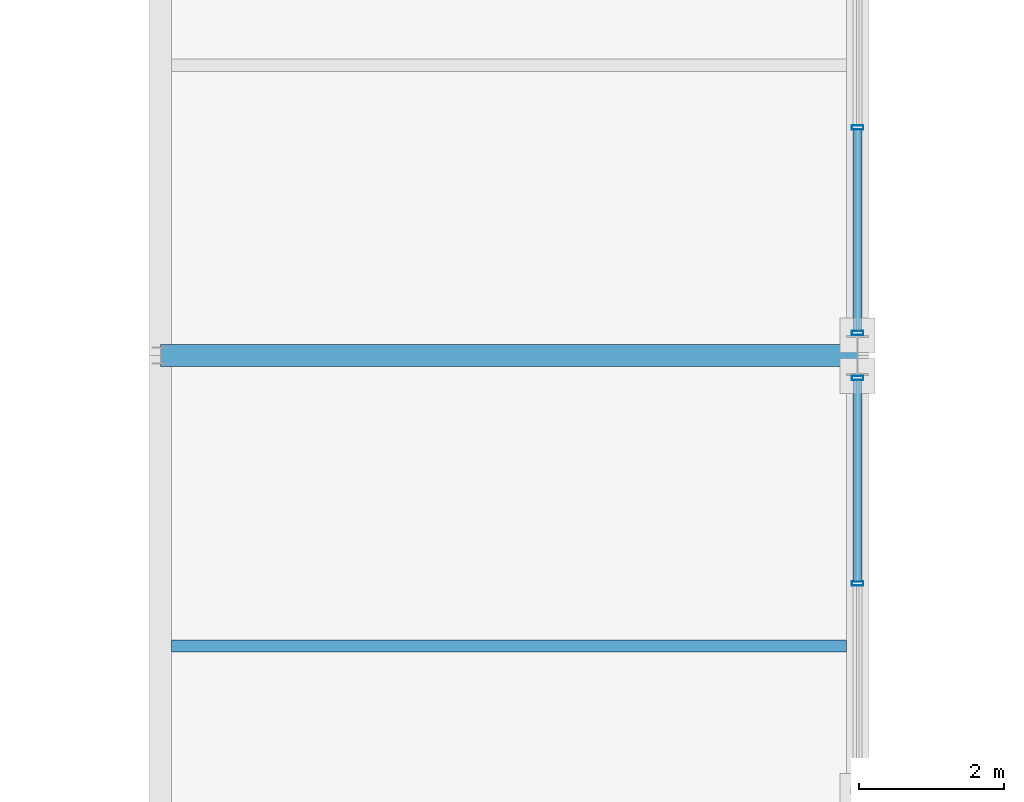
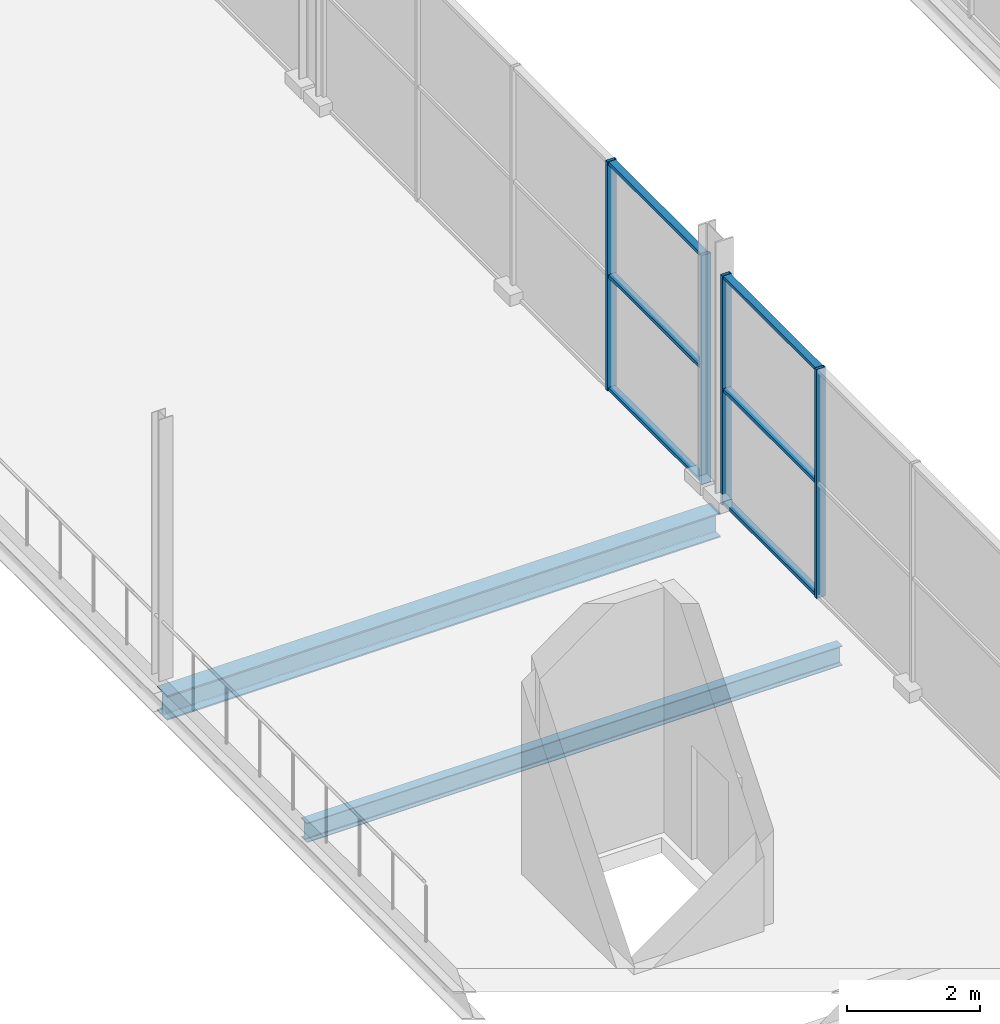
# One storey, part 71 of 159: 10 members, 2 beams, 2 elements without a shape of their own.
"""IFC4 building model written with IfcOpenShell, lengths in metres."""

from ifc_helpers import new_model, si_unit, direction, frame, origin, origin_2d, place, context, subcontext, project, spatial, hollow_rectangle, i_section, extrude, material, material_profile, profile_set, type_object, element, aggregate, save


model = new_model("IFC4")

# Units and contexts
model_context = context("Model", 3, precision=1e-05, world=origin(), true_north=direction((0.0, 1.0)))
body_context = subcontext(model_context, "Body", "Model", "MODEL_VIEW")
ifc_project = project(units=[si_unit("LENGTHUNIT", "METRE"), si_unit("AREAUNIT", "SQUARE_METRE"), si_unit("VOLUMEUNIT", "CUBIC_METRE"), si_unit("PLANEANGLEUNIT", "RADIAN"), si_unit("MASSUNIT", "GRAM", prefix="KILO")], contexts=[model_context])

# Site, building, storey
site_placement = place(None, origin())
site = spatial("IfcSite", under=ifc_project, at=site_placement, CompositionType="ELEMENT")
building_placement = place(site_placement, origin())
building = spatial("IfcBuilding", under=site, at=building_placement, Name="Merenkruunu Market Hall", CompositionType="ELEMENT")
storey_placement = place(building_placement, frame((0.0, 0.0, 5.39990234375)))
storey = spatial("IfcBuildingStorey", under=building, at=storey_placement, Name="L01", CompositionType="ELEMENT", Elevation=5.39990234375)

# Curtain wall, members
ifc_material_1 = material(Name="Powder-coated aluminium", Category="aluminium")
curtain_wall_type = type_object("IfcCurtainWallType", Name="Glazed Curtain Wall CW15", PredefinedType="USERDEFINED", material=ifc_material_1)
curtain_wall_1_placement = place(storey_placement, origin())
curtain_wall_1 = element("IfcCurtainWall", 1, at=curtain_wall_1_placement, inside=storey, type_object=curtain_wall_type, Name="CW-L01-CWM01-131", ObjectType="GLAZED_FACADE", PredefinedType="USERDEFINED")
ifc_material_profile_1 = material_profile(ifc_material_1, hollow_rectangle(XDim=0.06005859375, YDim=0.159912109375, WallThickness=0.00390625, at=origin_2d()), Name="ALU 60x160x4")
ifc_profile_set_1 = profile_set([ifc_material_profile_1], Name="Powder-coated aluminium")
member_type_1 = type_object("IfcMemberType", Name="Curtain Wall Mullion CWM01", PredefinedType="MULLION", material=ifc_profile_set_1)
member_1_placement = place(storey_placement, frame((57.60009765625, 72.4599609375, 0.0), z_axis=(0.0, 0.0, 1.0), x_axis=(0.0, 1.0, 0.0)))
member_1 = element("IfcMember", 2, at=member_1_placement, type_object=member_type_1, Name="CW15 mullion 4", PredefinedType="MULLION", context=body_context, shape_type="SweptSolid", body=[
    extrude(hollow_rectangle(XDim=0.06005859375, YDim=0.159912109375, WallThickness=0.00390625, at=origin_2d()), origin(), (0.0, 0.0, 1.0), 4.2001953125),
])
member_2_placement = place(storey_placement, frame((57.60009765625, 75.2900390625, 0.0), z_axis=(0.0, 0.0, 1.0), x_axis=(0.0, 1.0, 0.0)))
member_2 = element("IfcMember", 3, at=member_2_placement, type_object=member_type_1, Name="CW15 mullion 5", PredefinedType="MULLION", context=body_context, shape_type="SweptSolid", body=[
    extrude(hollow_rectangle(XDim=0.06005859375, YDim=0.159912109375, WallThickness=0.00390625, at=origin_2d()), origin(), (0.0, 0.0, 1.0), 4.2001953125),
])

curtain_wall_2_placement = place(storey_placement, origin())
curtain_wall_2 = element("IfcCurtainWall", 4, at=curtain_wall_2_placement, inside=storey, type_object=curtain_wall_type, Name="CW-L01-CWM01-134", ObjectType="GLAZED_FACADE", PredefinedType="USERDEFINED")
member_3_placement = place(storey_placement, frame((57.60009765625, 75.909912109375, 0.0), z_axis=(0.0, 0.0, 1.0), x_axis=(0.0, 1.0, 0.0)))
member_3 = element("IfcMember", 5, at=member_3_placement, type_object=member_type_1, Name="CW15 mullion 1", PredefinedType="MULLION", context=body_context, shape_type="SweptSolid", body=[
    extrude(hollow_rectangle(XDim=0.06005859375, YDim=0.159912109375, WallThickness=0.00390625, at=origin_2d()), origin(), (0.0, 0.0, 1.0), 4.2001953125),
])
member_4_placement = place(storey_placement, frame((57.60009765625, 78.739990234375, 0.0), z_axis=(0.0, 0.0, 1.0), x_axis=(0.0, 1.0, 0.0)))
member_4 = element("IfcMember", 6, at=member_4_placement, type_object=member_type_1, Name="CW15 mullion 2", PredefinedType="MULLION", context=body_context, shape_type="SweptSolid", body=[
    extrude(hollow_rectangle(XDim=0.06005859375, YDim=0.159912109375, WallThickness=0.00390625, at=origin_2d()), origin(), (0.0, 0.0, 1.0), 4.2001953125),
])

# Member
ifc_material_profile_2 = material_profile(ifc_material_1, hollow_rectangle(XDim=0.06005859375, YDim=0.125, WallThickness=0.00390625, at=origin_2d()), Name="ALU 60x125x4")
ifc_profile_set_2 = profile_set([ifc_material_profile_2], Name="Powder-coated aluminium")
member_type_2 = type_object("IfcMemberType", Name="Curtain Wall Transom CWT01", PredefinedType="USERDEFINED", material=ifc_profile_set_2)
member_5_placement = place(storey_placement, frame((57.60009765625, 72.489990234375, 0.030029296875), z_axis=(0.0, 1.0, 0.0), x_axis=(0.0, 0.0, 1.0)))
member_5 = element("IfcMember", 7, at=member_5_placement, type_object=member_type_2, Name="CW15 transom 4.1", ObjectType="TRANSOM", PredefinedType="USERDEFINED", context=body_context, shape_type="SweptSolid", body=[
    extrude(hollow_rectangle(XDim=0.06005859375, YDim=0.125, WallThickness=0.00390625, at=origin_2d()), origin(), (0.0, 0.0, 1.0), 2.77001953125),
])

member_6_placement = place(storey_placement, frame((57.60009765625, 72.489990234375, 2.10009765625), z_axis=(0.0, 1.0, 0.0), x_axis=(0.0, 0.0, 1.0)))
member_6 = element("IfcMember", 8, at=member_6_placement, type_object=member_type_2, Name="CW15 transom 4.2", ObjectType="TRANSOM", PredefinedType="USERDEFINED", context=body_context, shape_type="SweptSolid", body=[
    extrude(hollow_rectangle(XDim=0.06005859375, YDim=0.125, WallThickness=0.00390625, at=origin_2d()), origin(), (0.0, 0.0, 1.0), 2.77001953125),
])

member_7_placement = place(storey_placement, frame((57.60009765625, 72.489990234375, 4.170166015625), z_axis=(0.0, 1.0, 0.0), x_axis=(0.0, 0.0, 1.0)))
member_7 = element("IfcMember", 9, at=member_7_placement, type_object=member_type_2, Name="CW15 transom 4.3", ObjectType="TRANSOM", PredefinedType="USERDEFINED", context=body_context, shape_type="SweptSolid", body=[
    extrude(hollow_rectangle(XDim=0.06005859375, YDim=0.125, WallThickness=0.00390625, at=origin_2d()), origin(), (0.0, 0.0, 1.0), 2.77001953125),
])

aggregate(curtain_wall_1, [member_1, member_2, member_5, member_6, member_7])

member_8_placement = place(storey_placement, frame((57.60009765625, 75.93994140625, 0.030029296875), z_axis=(0.0, 1.0, 0.0), x_axis=(0.0, 0.0, 1.0)))
member_8 = element("IfcMember", 10, at=member_8_placement, type_object=member_type_2, Name="CW15 transom 1.1", ObjectType="TRANSOM", PredefinedType="USERDEFINED", context=body_context, shape_type="SweptSolid", body=[
    extrude(hollow_rectangle(XDim=0.06005859375, YDim=0.125, WallThickness=0.00390625, at=origin_2d()), origin(), (0.0, 0.0, 1.0), 2.77001953125),
])

member_9_placement = place(storey_placement, frame((57.60009765625, 75.93994140625, 2.10009765625), z_axis=(0.0, 1.0, 0.0), x_axis=(0.0, 0.0, 1.0)))
member_9 = element("IfcMember", 11, at=member_9_placement, type_object=member_type_2, Name="CW15 transom 1.2", ObjectType="TRANSOM", PredefinedType="USERDEFINED", context=body_context, shape_type="SweptSolid", body=[
    extrude(hollow_rectangle(XDim=0.06005859375, YDim=0.125, WallThickness=0.00390625, at=origin_2d()), origin(), (0.0, 0.0, 1.0), 2.77001953125),
])

member_10_placement = place(storey_placement, frame((57.60009765625, 75.93994140625, 4.170166015625), z_axis=(0.0, 1.0, 0.0), x_axis=(0.0, 0.0, 1.0)))
member_10 = element("IfcMember", 12, at=member_10_placement, type_object=member_type_2, Name="CW15 transom 1.3", ObjectType="TRANSOM", PredefinedType="USERDEFINED", context=body_context, shape_type="SweptSolid", body=[
    extrude(hollow_rectangle(XDim=0.06005859375, YDim=0.125, WallThickness=0.00390625, at=origin_2d()), origin(), (0.0, 0.0, 1.0), 2.77001953125),
])

aggregate(curtain_wall_2, [member_3, member_4, member_8, member_9, member_10])

# Beams
ifc_material_2 = material(Name="Steel S355J2", Category="steel")
ifc_material_profile_3 = material_profile(ifc_material_2, i_section(OverallWidth=0.300048828125, OverallDepth=0.449951171875, WebThickness=0.013916015625, FlangeThickness=0.02587890625, FilletRadius=0.027099609375, at=origin_2d()), Name="HEB 450")
ifc_profile_set_3 = profile_set([ifc_material_profile_3], Name="Steel S355J2")
beam_type_1 = type_object("IfcBeamType", Name="Primary Floor Girder B03", PredefinedType="BEAM", material=ifc_profile_set_3)
beam_1_placement = place(storey_placement, frame((48.0, 75.60009765625, -0.5048828125), z_axis=(1.0, 0.0, 0.0), x_axis=(0.0, 1.0, 0.0)))
element("IfcBeam", 13, at=beam_1_placement, inside=storey, type_object=beam_type_1, Name="BM-L01-B03-0534", PredefinedType="BEAM", context=body_context, shape_type="SweptSolid", body=[
    extrude(i_section(OverallWidth=0.300048828125, OverallDepth=0.449951171875, WebThickness=0.013916015625, FlangeThickness=0.02587890625, FilletRadius=0.027099609375, at=origin_2d()), origin(), (0.0, 0.0, 1.0), 9.60009765625),
])
ifc_material_profile_4 = material_profile(ifc_material_2, i_section(OverallWidth=0.169921875, OverallDepth=0.360107421875, WebThickness=0.008056640625, FlangeThickness=0.0126953125, FilletRadius=0.01806640625, at=origin_2d()), Name="IPE 360")
ifc_profile_set_4 = profile_set([ifc_material_profile_4], Name="Steel S355J2")
beam_type_2 = type_object("IfcBeamType", Name="Secondary Floor Joist J03", PredefinedType="JOIST", material=ifc_profile_set_4)
beam_2_placement = place(storey_placement, frame((48.153076171875, 71.60009765625, -0.4599609375), z_axis=(1.0, 0.0, 0.0), x_axis=(0.0, 1.0, 0.0)))
element("IfcBeam", 14, at=beam_2_placement, inside=storey, type_object=beam_type_2, Name="BM-L01-J03-0669", PredefinedType="JOIST", context=body_context, shape_type="SweptSolid", body=[
    extrude(i_section(OverallWidth=0.169921875, OverallDepth=0.360107421875, WebThickness=0.008056640625, FlangeThickness=0.0126953125, FilletRadius=0.01806640625, at=origin_2d()), origin(), (0.0, 0.0, 1.0), 9.2939453125),
])

save(model, "model.ifc")
